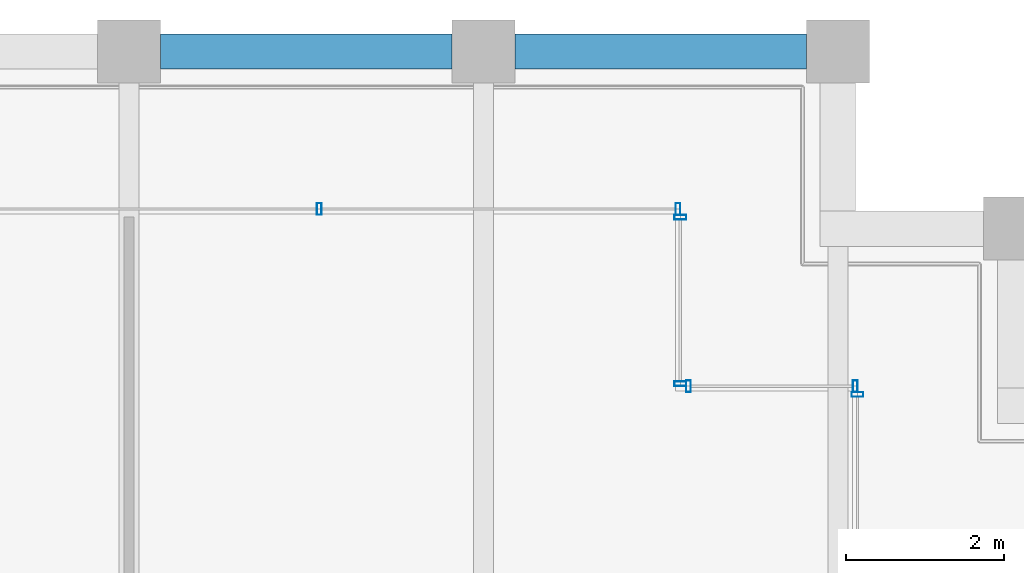
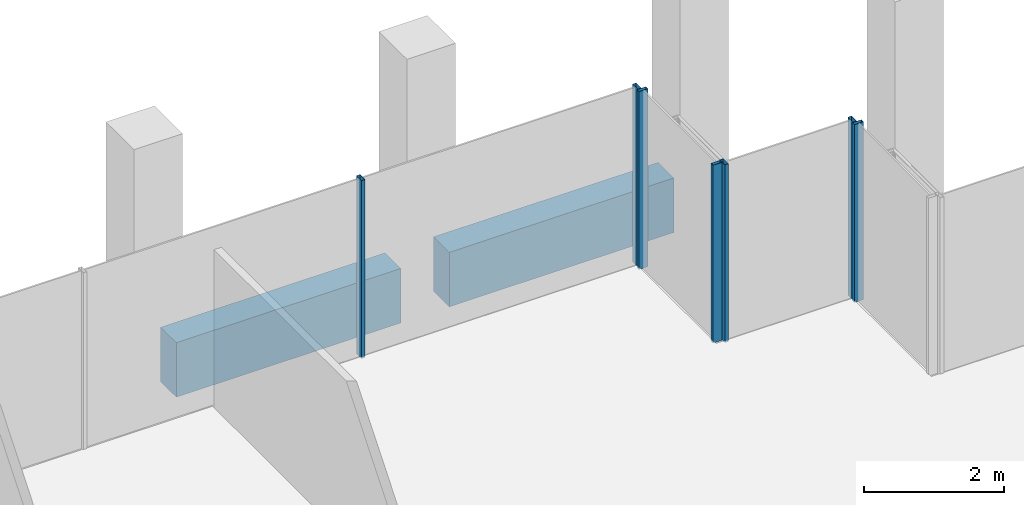
# One storey, part 28 of 62: 7 members, 2 beams, 4 elements without a shape of their own.
"""IFC4 building model written with IfcOpenShell, lengths in metres."""

from ifc_helpers import new_model, si_unit, direction, frame, origin, origin_2d, place, context, subcontext, project, spatial, rectangle, hollow_rectangle, extrude, material, material_profile, profile_set, type_object, element, aggregate, save


model = new_model("IFC4")

# Units and contexts
model_context = context("Model", 3, precision=1e-05, world=origin(), true_north=direction((0.0, 1.0)))
body_context = subcontext(model_context, "Body", "Model", "MODEL_VIEW")
ifc_project = project(units=[si_unit("LENGTHUNIT", "METRE"), si_unit("AREAUNIT", "SQUARE_METRE"), si_unit("VOLUMEUNIT", "CUBIC_METRE"), si_unit("PLANEANGLEUNIT", "RADIAN"), si_unit("MASSUNIT", "GRAM", prefix="KILO")], contexts=[model_context])

# Site, building, storey
site_placement = place(None, origin())
site = spatial("IfcSite", under=ifc_project, at=site_placement, CompositionType="ELEMENT")
building_placement = place(site_placement, origin())
building = spatial("IfcBuilding", under=site, at=building_placement, Name="Altepetl Exchange Towers", CompositionType="ELEMENT")
storey_placement = place(building_placement, frame((0.0, 0.0, 210.0)))
storey = spatial("IfcBuildingStorey", under=building, at=storey_placement, Name="L53", CompositionType="ELEMENT", Elevation=210.0)

# Curtain wall, member
ifc_material_1 = material(Name="Aluminium 6063-T6 glazing", Category="aluminium")
curtain_wall_type = type_object("IfcCurtainWallType", Name="Loggia glazing system", PredefinedType="NOTDEFINED", material=ifc_material_1)
curtain_wall_1_placement = place(storey_placement, origin())
curtain_wall_1 = element("IfcCurtainWall", 1, at=curtain_wall_1_placement, inside=storey, type_object=curtain_wall_type, Name="CW1 run", PredefinedType="NOTDEFINED")
ifc_material_2 = material(Name="Aluminium 6063-T6", Category="aluminium")
ifc_material_profile_1 = material_profile(ifc_material_2, hollow_rectangle(XDim=0.06005859375, YDim=0.14990234375, WallThickness=0.0029296875, at=origin_2d()), Name="Mullion 60x150 aluminium")
ifc_profile_set_1 = profile_set([ifc_material_profile_1], Name="Aluminium 6063-T6")
member_type = type_object("IfcMemberType", Name="Mullion 60x150 aluminium", PredefinedType="MULLION", material=ifc_profile_set_1)
member_1_placement = place(storey_placement, frame((67.75, 67.64501953125, 0.0), z_axis=(0.0, 0.0, 1.0), x_axis=(0.0, 1.0, 0.0)))
member_1 = element("IfcMember", 2, at=member_1_placement, type_object=member_type, Name="MU1 mullion", PredefinedType="MULLION", context=body_context, shape_type="SweptSolid", body=[
    extrude(hollow_rectangle(XDim=0.06005859375, YDim=0.14990234375, WallThickness=0.0029296875, at=origin_2d()), origin(), (0.0, 0.0, 1.0), 3.10009765625),
])
aggregate(curtain_wall_1, [member_1])

# Curtain wall, members
curtain_wall_2_placement = place(storey_placement, origin())
curtain_wall_2 = element("IfcCurtainWall", 3, at=curtain_wall_2_placement, inside=storey, type_object=curtain_wall_type, Name="CW1 run", PredefinedType="NOTDEFINED")
member_2_placement = place(storey_placement, frame((67.719970703125, 67.75, 0.0), z_axis=(0.0, 0.0, 1.0), x_axis=(-1.0, 0.0, 0.0)))
member_2 = element("IfcMember", 4, at=member_2_placement, type_object=member_type, Name="MU1 mullion", PredefinedType="MULLION", context=body_context, shape_type="SweptSolid", body=[
    extrude(hollow_rectangle(XDim=0.06005859375, YDim=0.14990234375, WallThickness=0.0029296875, at=origin_2d()), origin(), (0.0, 0.0, 1.0), 3.10009765625),
])
member_3_placement = place(storey_placement, frame((65.60498046875, 67.75, 0.0), z_axis=(0.0, 0.0, 1.0), x_axis=(-1.0, 0.0, 0.0)))
member_3 = element("IfcMember", 5, at=member_3_placement, type_object=member_type, Name="MU1 mullion", PredefinedType="MULLION", context=body_context, shape_type="SweptSolid", body=[
    extrude(hollow_rectangle(XDim=0.06005859375, YDim=0.14990234375, WallThickness=0.0029296875, at=origin_2d()), origin(), (0.0, 0.0, 1.0), 3.10009765625),
])
aggregate(curtain_wall_2, [member_2, member_3])

curtain_wall_3_placement = place(storey_placement, origin())
curtain_wall_3 = element("IfcCurtainWall", 6, at=curtain_wall_3_placement, inside=storey, type_object=curtain_wall_type, Name="CW1 run", PredefinedType="NOTDEFINED")
member_4_placement = place(storey_placement, frame((65.5, 67.780029296875, 0.0), z_axis=(0.0, 0.0, 1.0), x_axis=(0.0, 1.0, 0.0)))
member_4 = element("IfcMember", 7, at=member_4_placement, type_object=member_type, Name="MU1 mullion", PredefinedType="MULLION", context=body_context, shape_type="SweptSolid", body=[
    extrude(hollow_rectangle(XDim=0.06005859375, YDim=0.14990234375, WallThickness=0.0029296875, at=origin_2d()), origin(), (0.0, 0.0, 1.0), 3.10009765625),
])
member_5_placement = place(storey_placement, frame((65.5, 69.89501953125, 0.0), z_axis=(0.0, 0.0, 1.0), x_axis=(0.0, 1.0, 0.0)))
member_5 = element("IfcMember", 8, at=member_5_placement, type_object=member_type, Name="MU1 mullion", PredefinedType="MULLION", context=body_context, shape_type="SweptSolid", body=[
    extrude(hollow_rectangle(XDim=0.06005859375, YDim=0.14990234375, WallThickness=0.0029296875, at=origin_2d()), origin(), (0.0, 0.0, 1.0), 3.10009765625),
])
aggregate(curtain_wall_3, [member_4, member_5])

curtain_wall_4_placement = place(storey_placement, origin())
curtain_wall_4 = element("IfcCurtainWall", 9, at=curtain_wall_4_placement, inside=storey, type_object=curtain_wall_type, Name="CW1 run", PredefinedType="NOTDEFINED")
member_6_placement = place(storey_placement, frame((65.469970703125, 70.0, 0.0), z_axis=(0.0, 0.0, 1.0), x_axis=(-1.0, 0.0, 0.0)))
member_6 = element("IfcMember", 10, at=member_6_placement, type_object=member_type, Name="MU1 mullion", PredefinedType="MULLION", context=body_context, shape_type="SweptSolid", body=[
    extrude(hollow_rectangle(XDim=0.06005859375, YDim=0.14990234375, WallThickness=0.0029296875, at=origin_2d()), origin(), (0.0, 0.0, 1.0), 3.10009765625),
])
member_7_placement = place(storey_placement, frame((60.9150390625, 70.0, 0.0), z_axis=(0.0, 0.0, 1.0), x_axis=(-1.0, 0.0, 0.0)))
member_7 = element("IfcMember", 11, at=member_7_placement, type_object=member_type, Name="MU1 mullion", PredefinedType="MULLION", context=body_context, shape_type="SweptSolid", body=[
    extrude(hollow_rectangle(XDim=0.06005859375, YDim=0.14990234375, WallThickness=0.0029296875, at=origin_2d()), origin(), (0.0, 0.0, 1.0), 3.10009765625),
])
aggregate(curtain_wall_4, [member_6, member_7])

# Beams
ifc_material_3 = material(Name="Concrete C50/60 precast with cantera rosa facing", Category="concrete")
ifc_material_profile_2 = material_profile(ifc_material_3, rectangle(XDim=0.449951171875, YDim=0.949951171875, at=origin_2d()), Name="450 x 950")
ifc_profile_set_2 = profile_set([ifc_material_profile_2], Name="Concrete C50/60 precast with cantera rosa facing")
beam_type = type_object("IfcBeamType", Name="Spandrel beam 450x950 cantera rosa", PredefinedType="SPANDREL", material=ifc_profile_set_2)
for number, where, z_axis, x_axis, name in (
    (12, (67.10009765625, 72.0, -0.625), (-1.0, 0.0, 0.0), (0.0, -1.0, 0.0), "sp:A:L53:024"),
    (13, (62.60009765625, 72.0, -0.625), (-1.0, 0.0, 0.0), (0.0, -1.0, 0.0), "sp:A:L53:025"),
):
    element("IfcBeam", number, at=place(storey_placement, frame(where, z_axis=z_axis, x_axis=x_axis)), inside=storey, type_object=beam_type, Name=name, PredefinedType="SPANDREL", context=body_context, shape_type="SweptSolid", body=[
        extrude(rectangle(XDim=0.449951171875, YDim=0.949951171875, at=origin_2d()), origin(), (0.0, 0.0, 1.0), 3.7001953125),
    ])

save(model, "model.ifc")
